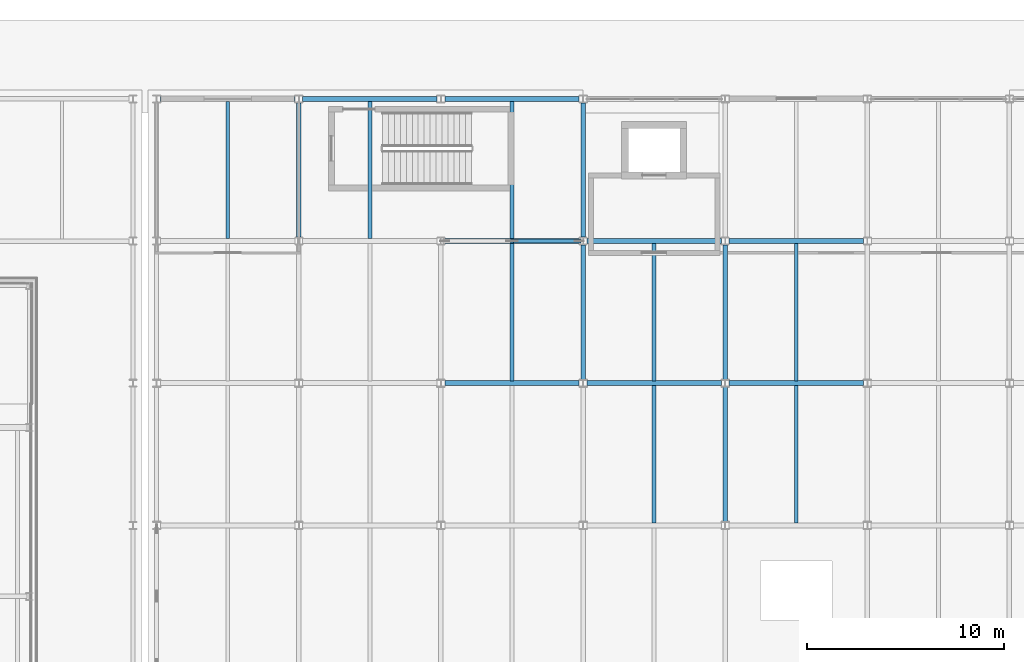
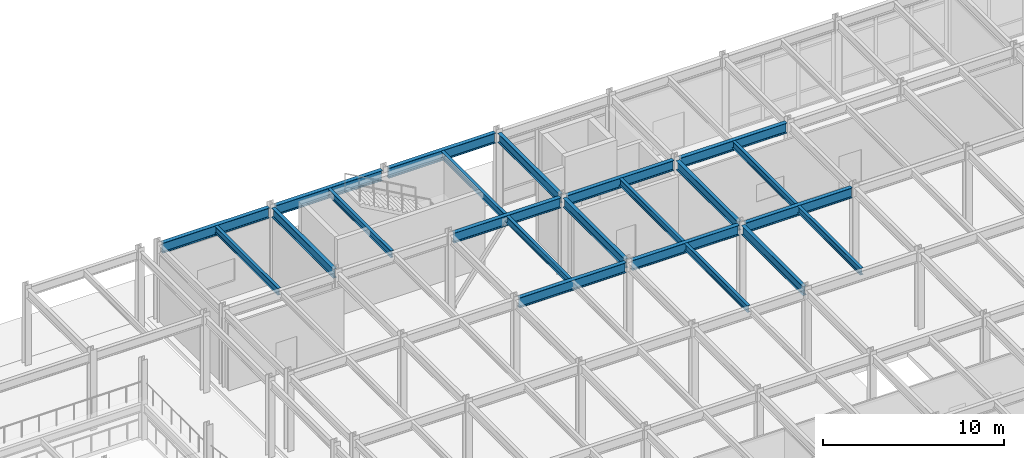
# One storey, part 31 of 104: 22 beams, 1 member.
"""IFC4 building model written with IfcOpenShell, lengths in metres."""

from ifc_helpers import new_model, si_unit, direction, frame, origin, origin_2d, place, context, subcontext, project, spatial, hollow_rectangle, i_section, extrude, material, material_profile, profile_set, type_object, element, save


model = new_model("IFC4")

# Units and contexts
model_context = context("Model", 3, precision=1e-05, world=origin(), true_north=direction((0.0, 1.0)))
body_context = subcontext(model_context, "Body", "Model", "MODEL_VIEW")
ifc_project = project(units=[si_unit("LENGTHUNIT", "METRE"), si_unit("AREAUNIT", "SQUARE_METRE"), si_unit("VOLUMEUNIT", "CUBIC_METRE"), si_unit("PLANEANGLEUNIT", "RADIAN"), si_unit("MASSUNIT", "GRAM", prefix="KILO")], contexts=[model_context])

# Site, building, storey
site_placement = place(None, origin())
site = spatial("IfcSite", under=ifc_project, at=site_placement, CompositionType="ELEMENT")
building_placement = place(site_placement, origin())
building = spatial("IfcBuilding", under=site, at=building_placement, Name="Vaelcorin Mobility Hub", CompositionType="ELEMENT")
storey_placement = place(building_placement, origin())
storey = spatial("IfcBuildingStorey", under=building, at=storey_placement, Name="L00", CompositionType="ELEMENT", Elevation=0.0)

# Beams
ifc_material_1 = material(Name="Steel ASTM A992 Grade 50", Category="steel")
ifc_material_profile_1 = material_profile(ifc_material_1, i_section(OverallWidth=0.19091796875, OverallDepth=0.4599609375, WebThickness=0.010009765625, FlangeThickness=0.01611328125, FilletRadius=0.012939453125, at=origin_2d()), Name="W18X55")
ifc_profile_set_1 = profile_set([ifc_material_profile_1], Name="Steel ASTM A992 Grade 50")
beam_type_1 = type_object("IfcBeamType", Name="BM-W18X55", PredefinedType="JOIST", material=ifc_profile_set_1)
for number, where, z_axis, x_axis, name in (
    (1, (39.60009765625, 112.925048828125, 4.929931640625), (0.0, 1.0, 0.0), (-1.0, 0.0, 0.0), "L00 Beam V4-L00-J-01-06-1"),
    (2, (46.800048828125, 112.925048828125, 4.929931640625), (0.0, 1.0, 0.0), (-1.0, 0.0, 0.0), "L00 Beam V4-L00-J-02-06-1"),
    (3, (54.0, 105.72509765625, 4.929931640625), (0.0, 1.0, 0.0), (-1.0, 0.0, 0.0), "L00 Beam V4-L00-J-03-05-1"),
    (4, (54.0, 112.925048828125, 4.929931640625), (0.0, 1.0, 0.0), (-1.0, 0.0, 0.0), "L00 Beam V4-L00-J-03-06-1"),
):
    element("IfcBeam", number, at=place(storey_placement, frame(where, z_axis=z_axis, x_axis=x_axis)), inside=storey, type_object=beam_type_1, Name=name, PredefinedType="JOIST", context=body_context, shape_type="SweptSolid", body=[
        extrude(i_section(OverallWidth=0.19091796875, OverallDepth=0.4599609375, WebThickness=0.010009765625, FlangeThickness=0.01611328125, FilletRadius=0.012939453125, at=origin_2d()), origin(), (0.0, 0.0, 1.0), 6.949951171875),
    ])
beam_1_placement = place(storey_placement, frame((61.199951171875, 98.52490234375, 4.929931640625), z_axis=(0.0, 1.0, 0.0), x_axis=(-1.0, 0.0, 0.0)))
element("IfcBeam", 5, at=beam_1_placement, inside=storey, type_object=beam_type_1, Name="L00 Beam V4-L00-J-04-04-1", PredefinedType="JOIST", context=body_context, shape_type="SweptSolid", body=[
    extrude(i_section(OverallWidth=0.19091796875, OverallDepth=0.4599609375, WebThickness=0.010009765625, FlangeThickness=0.01611328125, FilletRadius=0.012939453125, at=origin_2d()), origin(), (0.0, 0.0, 1.0), 6.9501953125),
])
beam_2_placement = place(storey_placement, frame((61.199951171875, 105.72509765625, 4.929931640625), z_axis=(0.0, 1.0, 0.0), x_axis=(-1.0, 0.0, 0.0)))
element("IfcBeam", 6, at=beam_2_placement, inside=storey, type_object=beam_type_1, Name="L00 Beam V4-L00-J-04-05-1", PredefinedType="JOIST", context=body_context, shape_type="SweptSolid", body=[
    extrude(i_section(OverallWidth=0.19091796875, OverallDepth=0.4599609375, WebThickness=0.010009765625, FlangeThickness=0.01611328125, FilletRadius=0.012939453125, at=origin_2d()), origin(), (0.0, 0.0, 1.0), 6.949951171875),
])
beam_3_placement = place(storey_placement, frame((68.39990234375, 98.52490234375, 4.929931640625), z_axis=(0.0, 1.0, 0.0), x_axis=(-1.0, 0.0, 0.0)))
element("IfcBeam", 7, at=beam_3_placement, inside=storey, type_object=beam_type_1, Name="L00 Beam V4-L00-J-05-04-1", PredefinedType="JOIST", context=body_context, shape_type="SweptSolid", body=[
    extrude(i_section(OverallWidth=0.19091796875, OverallDepth=0.4599609375, WebThickness=0.010009765625, FlangeThickness=0.01611328125, FilletRadius=0.012939453125, at=origin_2d()), origin(), (0.0, 0.0, 1.0), 6.9501953125),
])
beam_4_placement = place(storey_placement, frame((68.39990234375, 105.72509765625, 4.929931640625), z_axis=(0.0, 1.0, 0.0), x_axis=(-1.0, 0.0, 0.0)))
element("IfcBeam", 8, at=beam_4_placement, inside=storey, type_object=beam_type_1, Name="L00 Beam V4-L00-J-05-05-1", PredefinedType="JOIST", context=body_context, shape_type="SweptSolid", body=[
    extrude(i_section(OverallWidth=0.19091796875, OverallDepth=0.4599609375, WebThickness=0.010009765625, FlangeThickness=0.01611328125, FilletRadius=0.012939453125, at=origin_2d()), origin(), (0.0, 0.0, 1.0), 6.949951171875),
])
ifc_material_profile_2 = material_profile(ifc_material_1, i_section(OverallWidth=0.22900390625, OverallDepth=0.612060546875, WebThickness=0.011962890625, FlangeThickness=0.01953125, FilletRadius=0.014892578125, at=origin_2d()), Name="W24X84")
ifc_profile_set_2 = profile_set([ifc_material_profile_2], Name="Steel ASTM A992 Grade 50")
beam_type_2 = type_object("IfcBeamType", Name="BM-W24X84", PredefinedType="BEAM", material=ifc_profile_set_2)
beam_5_placement = place(storey_placement, frame((43.199951171875, 113.0009765625, 4.85400390625), z_axis=(0.0, 1.0, 0.0), x_axis=(-1.0, 0.0, 0.0)))
element("IfcBeam", 9, at=beam_5_placement, inside=storey, type_object=beam_type_2, Name="L00 Beam V4-L00-GY-02-06", PredefinedType="BEAM", context=body_context, shape_type="SweptSolid", body=[
    extrude(i_section(OverallWidth=0.22900390625, OverallDepth=0.612060546875, WebThickness=0.011962890625, FlangeThickness=0.01953125, FilletRadius=0.014892578125, at=origin_2d()), origin(), (0.0, 0.0, 1.0), 6.803955078125),
])
beam_6_placement = place(storey_placement, frame((57.60009765625, 105.794921875, 4.85400390625), z_axis=(0.0, 1.0, 0.0), x_axis=(-1.0, 0.0, 0.0)))
element("IfcBeam", 10, at=beam_6_placement, inside=storey, type_object=beam_type_2, Name="L00 Beam V4-L00-GY-04-05", PredefinedType="BEAM", context=body_context, shape_type="SweptSolid", body=[
    extrude(i_section(OverallWidth=0.22900390625, OverallDepth=0.612060546875, WebThickness=0.011962890625, FlangeThickness=0.01953125, FilletRadius=0.014892578125, at=origin_2d()), origin(), (0.0, 0.0, 1.0), 6.80419921875),
])
beam_7_placement = place(storey_placement, frame((57.60009765625, 113.0009765625, 4.85400390625), z_axis=(0.0, 1.0, 0.0), x_axis=(-1.0, 0.0, 0.0)))
element("IfcBeam", 11, at=beam_7_placement, inside=storey, type_object=beam_type_2, Name="L00 Beam V4-L00-GY-04-06", PredefinedType="BEAM", context=body_context, shape_type="SweptSolid", body=[
    extrude(i_section(OverallWidth=0.22900390625, OverallDepth=0.612060546875, WebThickness=0.011962890625, FlangeThickness=0.01953125, FilletRadius=0.014892578125, at=origin_2d()), origin(), (0.0, 0.0, 1.0), 6.803955078125),
])
beam_8_placement = place(storey_placement, frame((64.800048828125, 98.594970703125, 4.85400390625), z_axis=(0.0, 1.0, 0.0), x_axis=(-1.0, 0.0, 0.0)))
element("IfcBeam", 12, at=beam_8_placement, inside=storey, type_object=beam_type_2, Name="L00 Beam V4-L00-GY-05-04", PredefinedType="BEAM", context=body_context, shape_type="SweptSolid", body=[
    extrude(i_section(OverallWidth=0.22900390625, OverallDepth=0.612060546875, WebThickness=0.011962890625, FlangeThickness=0.01953125, FilletRadius=0.014892578125, at=origin_2d()), origin(), (0.0, 0.0, 1.0), 6.81005859375),
])
beam_9_placement = place(storey_placement, frame((64.800048828125, 105.794921875, 4.85400390625), z_axis=(0.0, 1.0, 0.0), x_axis=(-1.0, 0.0, 0.0)))
element("IfcBeam", 13, at=beam_9_placement, inside=storey, type_object=beam_type_2, Name="L00 Beam V4-L00-GY-05-05", PredefinedType="BEAM", context=body_context, shape_type="SweptSolid", body=[
    extrude(i_section(OverallWidth=0.22900390625, OverallDepth=0.612060546875, WebThickness=0.011962890625, FlangeThickness=0.01953125, FilletRadius=0.014892578125, at=origin_2d()), origin(), (0.0, 0.0, 1.0), 6.80419921875),
])
ifc_material_profile_3 = material_profile(ifc_material_1, i_section(OverallWidth=0.25390625, OverallDepth=0.68310546875, WebThickness=0.012451171875, FlangeThickness=0.018798828125, FilletRadius=0.01611328125, at=origin_2d()), Name="W27X94")
ifc_profile_set_3 = profile_set([ifc_material_profile_3], Name="Steel ASTM A992 Grade 50")
beam_type_3 = type_object("IfcBeamType", Name="BM-W27X94", PredefinedType="BEAM", material=ifc_profile_set_3)
beam_10_placement = place(storey_placement, frame((50.597900390625, 105.60009765625, 4.818115234375), z_axis=(1.0, 0.0, 0.0), x_axis=(0.0, 1.0, 0.0)))
element("IfcBeam", 14, at=beam_10_placement, inside=storey, type_object=beam_type_3, Name="L00 Beam V4-L00-GX-05-03", PredefinedType="BEAM", context=body_context, shape_type="SweptSolid", body=[
    extrude(i_section(OverallWidth=0.25390625, OverallDepth=0.68310546875, WebThickness=0.012451171875, FlangeThickness=0.018798828125, FilletRadius=0.01611328125, at=origin_2d()), origin(), (0.0, 0.0, 1.0), 6.80419921875),
])
for number, where, z_axis, x_axis, name in (
    (15, (57.798095703125, 105.60009765625, 4.818115234375), (1.0, 0.0, 0.0), (0.0, 1.0, 0.0), "L00 Beam V4-L00-GX-05-04"),
    (16, (64.998046875, 105.60009765625, 4.818115234375), (1.0, 0.0, 0.0), (0.0, 1.0, 0.0), "L00 Beam V4-L00-GX-05-05"),
):
    element("IfcBeam", number, at=place(storey_placement, frame(where, z_axis=z_axis, x_axis=x_axis)), inside=storey, type_object=beam_type_3, Name=name, PredefinedType="BEAM", context=body_context, shape_type="SweptSolid", body=[
        extrude(i_section(OverallWidth=0.25390625, OverallDepth=0.68310546875, WebThickness=0.012451171875, FlangeThickness=0.018798828125, FilletRadius=0.01611328125, at=origin_2d()), origin(), (0.0, 0.0, 1.0), 6.803955078125),
    ])
beam_11_placement = place(storey_placement, frame((50.60009765625, 112.800048828125, 4.818115234375), z_axis=(1.0, 0.0, 0.0), x_axis=(0.0, 1.0, 0.0)))
element("IfcBeam", 17, at=beam_11_placement, inside=storey, type_object=beam_type_3, Name="L00 Beam V4-L00-GX-06-03", PredefinedType="BEAM", context=body_context, shape_type="SweptSolid", body=[
    extrude(i_section(OverallWidth=0.25390625, OverallDepth=0.68310546875, WebThickness=0.012451171875, FlangeThickness=0.018798828125, FilletRadius=0.01611328125, at=origin_2d()), origin(), (0.0, 0.0, 1.0), 6.7998046875),
])
for number, where, z_axis, x_axis, name in (
    (18, (57.800048828125, 112.800048828125, 4.818115234375), (1.0, 0.0, 0.0), (0.0, 1.0, 0.0), "L00 Beam V4-L00-GX-06-04"),
    (19, (65.0, 112.800048828125, 4.818115234375), (1.0, 0.0, 0.0), (0.0, 1.0, 0.0), "L00 Beam V4-L00-GX-06-05"),
):
    element("IfcBeam", number, at=place(storey_placement, frame(where, z_axis=z_axis, x_axis=x_axis)), inside=storey, type_object=beam_type_3, Name=name, PredefinedType="BEAM", context=body_context, shape_type="SweptSolid", body=[
        extrude(i_section(OverallWidth=0.25390625, OverallDepth=0.68310546875, WebThickness=0.012451171875, FlangeThickness=0.018798828125, FilletRadius=0.01611328125, at=origin_2d()), origin(), (0.0, 0.0, 1.0), 6.800048828125),
    ])
beam_12_placement = place(storey_placement, frame((36.197998046875, 120.0, 4.818115234375), z_axis=(1.0, 0.0, 0.0), x_axis=(0.0, 1.0, 0.0)))
element("IfcBeam", 20, at=beam_12_placement, inside=storey, type_object=beam_type_3, Name="L00 Beam V4-L00-GX-07-01", PredefinedType="BEAM", context=body_context, shape_type="SweptSolid", body=[
    extrude(i_section(OverallWidth=0.25390625, OverallDepth=0.68310546875, WebThickness=0.012451171875, FlangeThickness=0.018798828125, FilletRadius=0.01611328125, at=origin_2d()), origin(), (0.0, 0.0, 1.0), 6.804931640625),
])
beam_13_placement = place(storey_placement, frame((43.39794921875, 120.0, 4.818115234375), z_axis=(1.0, 0.0, 0.0), x_axis=(0.0, 1.0, 0.0)))
element("IfcBeam", 21, at=beam_13_placement, inside=storey, type_object=beam_type_3, Name="L00 Beam V4-L00-GX-07-02", PredefinedType="BEAM", context=body_context, shape_type="SweptSolid", body=[
    extrude(i_section(OverallWidth=0.25390625, OverallDepth=0.68310546875, WebThickness=0.012451171875, FlangeThickness=0.018798828125, FilletRadius=0.01611328125, at=origin_2d()), origin(), (0.0, 0.0, 1.0), 6.803955078125),
])
beam_14_placement = place(storey_placement, frame((50.597900390625, 120.0, 4.818115234375), z_axis=(1.0, 0.0, 0.0), x_axis=(0.0, 1.0, 0.0)))
element("IfcBeam", 22, at=beam_14_placement, inside=storey, type_object=beam_type_3, Name="L00 Beam V4-L00-GX-07-03", PredefinedType="BEAM", context=body_context, shape_type="SweptSolid", body=[
    extrude(i_section(OverallWidth=0.25390625, OverallDepth=0.68310546875, WebThickness=0.012451171875, FlangeThickness=0.018798828125, FilletRadius=0.01611328125, at=origin_2d()), origin(), (0.0, 0.0, 1.0), 6.80419921875),
])

# Member
ifc_material_2 = material(Name="Steel ASTM A500 Grade C", Category="steel")
ifc_material_profile_4 = material_profile(ifc_material_2, hollow_rectangle(XDim=0.203125, YDim=0.203125, WallThickness=0.01171875, at=origin_2d()), Name="HSS8X8X0.500")
ifc_profile_set_4 = profile_set([ifc_material_profile_4], Name="Steel ASTM A500 Grade C")
member_type = type_object("IfcMemberType", Name="BR-SCBF-8X8", PredefinedType="BRACE", material=ifc_profile_set_4)
member_placement = place(storey_placement, frame((57.409912109375, 112.800048828125, 0.179931640625), z_axis=(-0.598018326756, 0.0, 0.801482427046), x_axis=(0.0, -1.0, 0.0)))
element("IfcMember", 23, at=member_placement, inside=storey, type_object=member_type, Name="SCBF Chevron Brace V4-BX1-L00-B", PredefinedType="BRACE", context=body_context, shape_type="SweptSolid", body=[
    extrude(hollow_rectangle(XDim=0.203125, YDim=0.203125, WallThickness=0.01171875, at=origin_2d()), origin(), (0.0, 0.0, 1.0), 5.701904296875),
])

save(model, "model.ifc")
